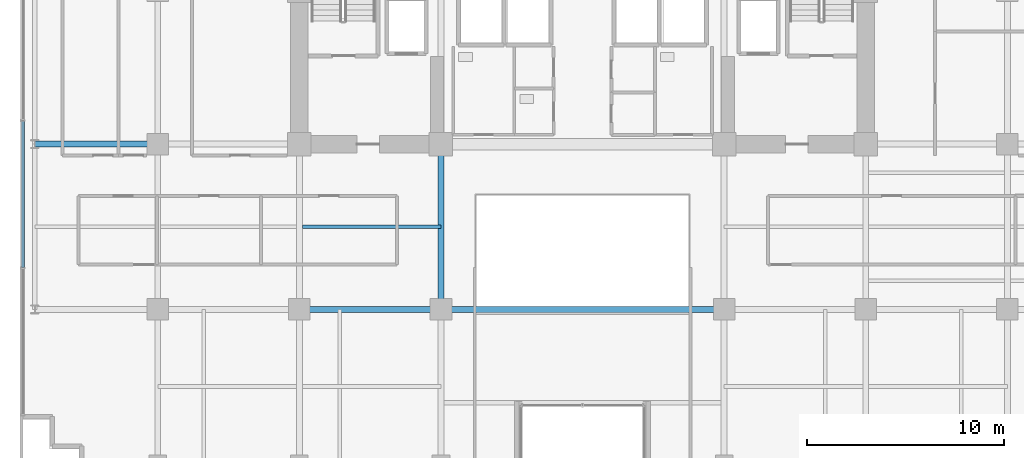
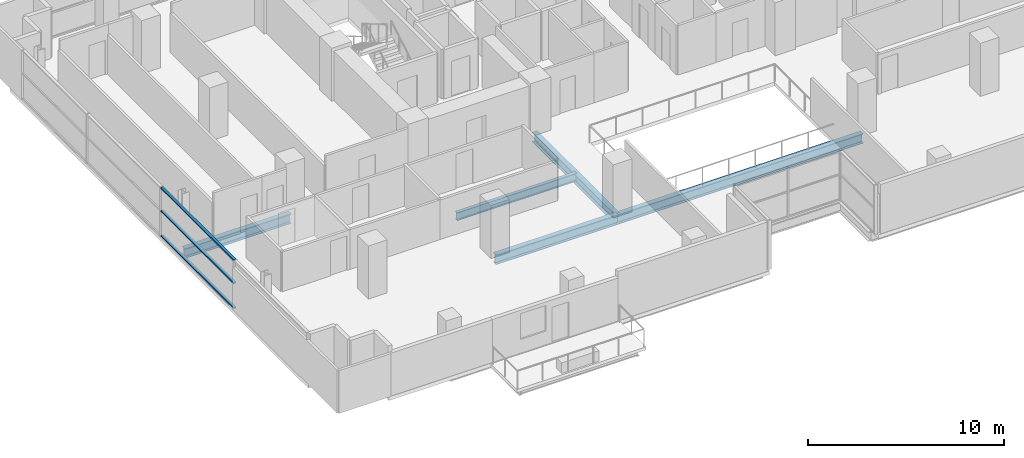
# One storey, part 7 of 26: 5 beams, 3 members, 1 element without a shape of its own.
"""IFC4 building model written with IfcOpenShell, lengths in metres."""

from ifc_helpers import new_model, si_unit, direction, frame, origin, origin_2d, place, context, subcontext, project, spatial, hollow_rectangle, i_section, extrude, source, transform, mapped, material, layer, layer_set, material_profile, profile_set, type_object, element, aggregate, save


model = new_model("IFC4")

# Units and contexts
model_context = context("Model", 3, precision=1e-05, world=origin(), true_north=direction((0.0, 1.0)))
body_context = subcontext(model_context, "Body", "Model", "MODEL_VIEW")
ifc_project = project(units=[si_unit("LENGTHUNIT", "METRE"), si_unit("AREAUNIT", "SQUARE_METRE"), si_unit("VOLUMEUNIT", "CUBIC_METRE"), si_unit("PLANEANGLEUNIT", "RADIAN"), si_unit("MASSUNIT", "GRAM", prefix="KILO")], contexts=[model_context])

# Site, building, storey
site_placement = place(None, origin())
site = spatial("IfcSite", under=ifc_project, at=site_placement, CompositionType="ELEMENT")
building_placement = place(site_placement, origin())
building = spatial("IfcBuilding", under=site, at=building_placement, Name="Zarnakvel Exchange Tower", CompositionType="ELEMENT")
storey_placement = place(building_placement, frame((0.0, 0.0, 63.699951171875)))
storey = spatial("IfcBuildingStorey", under=building, at=storey_placement, Name="L17", CompositionType="ELEMENT", Elevation=63.699951171875)

# Beams
ifc_material_1 = material(Name="Steel S355", Category="steel")
ifc_material_profile_1 = material_profile(ifc_material_1, i_section(OverallWidth=0.199951171875, OverallDepth=0.5, WebThickness=0.01025390625, FlangeThickness=0.01611328125, FilletRadius=0.02099609375, at=origin_2d()))
ifc_profile_set_1 = profile_set([ifc_material_profile_1], Name="Steel S355")
beam_type_1 = type_object("IfcBeamType", Name="B-04", PredefinedType="JOIST", material=ifc_profile_set_1)
beam_1_placement = place(storey_placement, frame((-14.25, -5.39990234375, -0.474853515625), z_axis=(1.0, 0.0, 0.0), x_axis=(0.0, 1.0, 0.0)))
element("IfcBeam", 1, at=beam_1_placement, inside=storey, type_object=beam_type_1, Name="L17 Composite Floor Secondary Joist", PredefinedType="JOIST", context=body_context, shape_type="SweptSolid", body=[
    extrude(i_section(OverallWidth=0.199951171875, OverallDepth=0.5, WebThickness=0.01025390625, FlangeThickness=0.01611328125, FilletRadius=0.02099609375, at=origin_2d()), origin(), (0.0, 0.0, 1.0), 7.050048828125),
])
ifc_material_profile_2 = material_profile(ifc_material_1, i_section(OverallWidth=0.300048828125, OverallDepth=0.60009765625, WebThickness=0.015380859375, FlangeThickness=0.030029296875, FilletRadius=0.027099609375, at=origin_2d()))
ifc_profile_set_2 = profile_set([ifc_material_profile_2], Name="Steel S355")
beam_type_2 = type_object("IfcBeamType", Name="G-04", PredefinedType="BEAM", material=ifc_profile_set_2)
beam_2_placement = place(storey_placement, frame((-14.39990234375, -9.60009765625, -0.52490234375), z_axis=(1.0, 0.0, 0.0), x_axis=(0.0, 1.0, 0.0)))
element("IfcBeam", 2, at=beam_2_placement, inside=storey, type_object=beam_type_2, Name="L17 Tower E-W Frame Beam", PredefinedType="BEAM", context=body_context, shape_type="SweptSolid", body=[
    extrude(i_section(OverallWidth=0.300048828125, OverallDepth=0.60009765625, WebThickness=0.015380859375, FlangeThickness=0.030029296875, FilletRadius=0.027099609375, at=origin_2d()), origin(), (0.0, 0.0, 1.0), 7.199951171875),
])
beam_3_placement = place(storey_placement, frame((-7.199951171875, -9.60009765625, -0.52490234375), z_axis=(1.0, 0.0, 0.0), x_axis=(0.0, 1.0, 0.0)))
element("IfcBeam", 3, at=beam_3_placement, inside=storey, type_object=beam_type_2, Name="L17 Tower E-W Frame Beam", PredefinedType="BEAM", context=body_context, shape_type="SweptSolid", body=[
    extrude(i_section(OverallWidth=0.300048828125, OverallDepth=0.60009765625, WebThickness=0.015380859375, FlangeThickness=0.030029296875, FilletRadius=0.027099609375, at=origin_2d()), origin(), (0.0, 0.0, 1.0), 14.39990234375),
])
beam_4_placement = place(storey_placement, frame((-27.85009765625, -1.199951171875, -0.52490234375), z_axis=(1.0, 0.0, 0.0), x_axis=(0.0, 1.0, 0.0)))
element("IfcBeam", 4, at=beam_4_placement, inside=storey, type_object=beam_type_2, Name="L17 Tower E-W Frame Beam", PredefinedType="BEAM", context=body_context, shape_type="SweptSolid", body=[
    extrude(i_section(OverallWidth=0.300048828125, OverallDepth=0.60009765625, WebThickness=0.015380859375, FlangeThickness=0.030029296875, FilletRadius=0.027099609375, at=origin_2d()), origin(), (0.0, 0.0, 1.0), 6.25),
])
beam_5_placement = place(storey_placement, frame((-7.199951171875, -9.60009765625, -0.52490234375), z_axis=(0.0, 1.0, 0.0), x_axis=(-1.0, 0.0, 0.0)))
element("IfcBeam", 5, at=beam_5_placement, inside=storey, type_object=beam_type_2, Name="L17 Tower N-S Frame Beam", PredefinedType="BEAM", context=body_context, shape_type="SweptSolid", body=[
    extrude(i_section(OverallWidth=0.300048828125, OverallDepth=0.60009765625, WebThickness=0.015380859375, FlangeThickness=0.030029296875, FilletRadius=0.027099609375, at=origin_2d()), origin(), (0.0, 0.0, 1.0), 8.400146484375),
])

# Curtain wall, members
ifc_material_2 = material(Name="Architectural Bronze Anodised Aluminium", Category="aluminium")
ifc_layer = layer(ifc_material_2, 0.199951171875)
ifc_layer_set = layer_set([ifc_layer], Name="Architectural Bronze Anodised Aluminium")
curtain_wall_type = type_object("IfcCurtainWallType", Name="CW-04", PredefinedType="NOTDEFINED", material=ifc_layer_set)
curtain_wall_placement = place(storey_placement, origin())
curtain_wall = element("IfcCurtainWall", 6, at=curtain_wall_placement, inside=storey, type_object=curtain_wall_type, Name="L17 Curtain Wall CW-L17-W1 (CW-04)", PredefinedType="NOTDEFINED")
ifc_material_profile_3 = material_profile(ifc_material_2, hollow_rectangle(XDim=0.159912109375, YDim=0.074951171875, WallThickness=0.00390625, at=origin_2d()))
ifc_profile_set_3 = profile_set([ifc_material_profile_3], Name="Architectural Bronze Anodised Aluminium")
member_type = type_object("IfcMemberType", Name="CWT-04", PredefinedType="USERDEFINED", material=ifc_profile_set_3)
shared_shape = source(origin(), body_context, "Body", "SweptSolid", [
    extrude(hollow_rectangle(XDim=0.159912109375, YDim=0.074951171875, WallThickness=0.00390625, at=origin_2d()), origin(), (0.0, 0.0, 1.0), 7.4248046875),
])
member_1_placement = place(storey_placement, frame((-28.4599609375, -7.46240234375, 0.03759765625), z_axis=(0.0, 1.0, 0.0), x_axis=(-1.0, 0.0, 0.0)))
member_1 = element("IfcMember", 7, at=member_1_placement, type_object=member_type, Name="CW-04 transom 2.1", ObjectType="TRANSOM", PredefinedType="USERDEFINED", context=body_context, shape_type="MappedRepresentation", body=[
    mapped(shared_shape, transform((0.0, 0.0, 0.0), x_axis=(1.0, 0.0, 0.0), y_axis=(0.0, 1.0, 0.0), z_axis=(0.0, 0.0, 1.0), scale=1.0)),
])
member_2_placement = place(storey_placement, frame((-28.4599609375, -7.46240234375, 1.588623046875), z_axis=(0.0, 1.0, 0.0), x_axis=(-1.0, 0.0, 0.0)))
member_2 = element("IfcMember", 8, at=member_2_placement, type_object=member_type, Name="CW-04 transom 2.2", ObjectType="TRANSOM", PredefinedType="USERDEFINED", context=body_context, shape_type="MappedRepresentation", body=[
    mapped(shared_shape, transform((0.0, 0.0, 0.0), x_axis=(1.0, 0.0, 0.0), y_axis=(0.0, 1.0, 0.0), z_axis=(0.0, 0.0, 1.0), scale=1.0)),
])
member_3_placement = place(storey_placement, frame((-28.4599609375, -7.46240234375, 3.017578125), z_axis=(0.0, 1.0, 0.0), x_axis=(-1.0, 0.0, 0.0)))
member_3 = element("IfcMember", 9, at=member_3_placement, type_object=member_type, Name="CW-04 transom 2.3", ObjectType="TRANSOM", PredefinedType="USERDEFINED", context=body_context, shape_type="MappedRepresentation", body=[
    mapped(shared_shape, transform((0.0, 0.0, 0.0), x_axis=(1.0, 0.0, 0.0), y_axis=(0.0, 1.0, 0.0), z_axis=(0.0, 0.0, 1.0), scale=1.0)),
])
aggregate(curtain_wall, [member_1, member_2, member_3])

save(model, "model.ifc")
